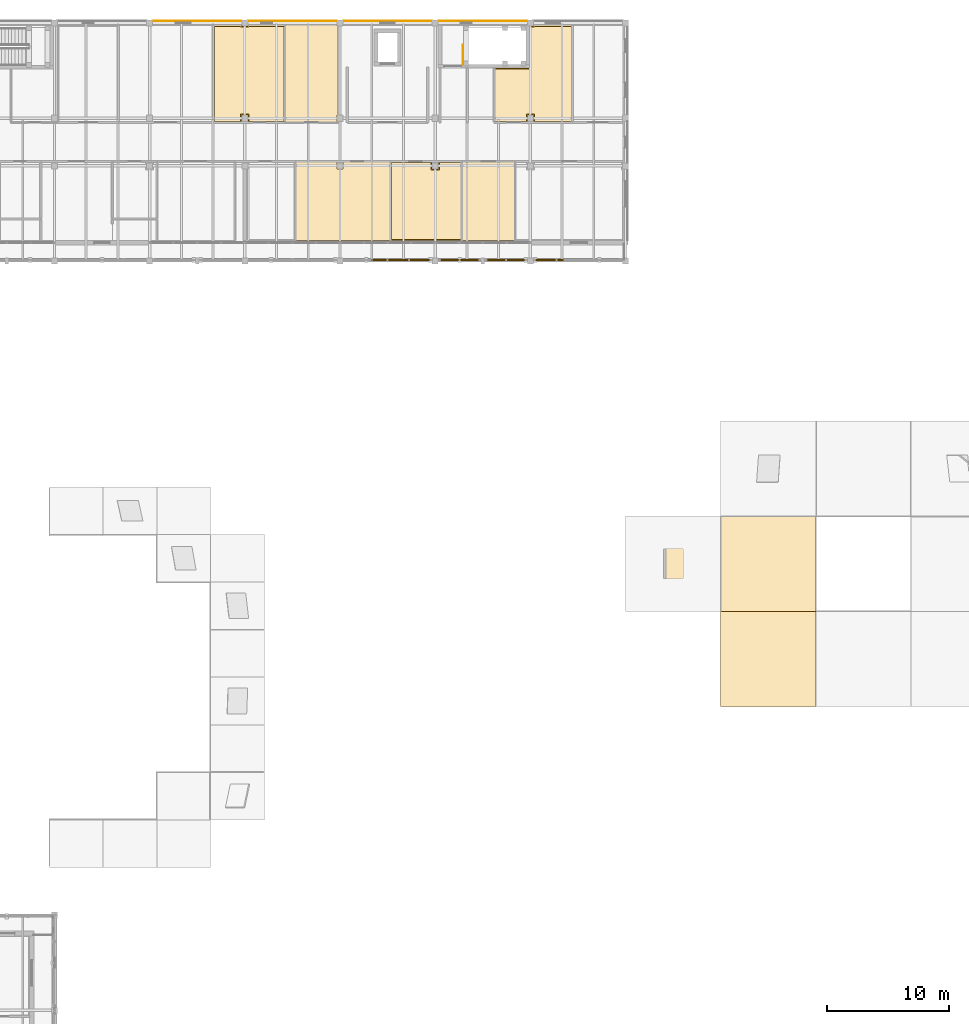
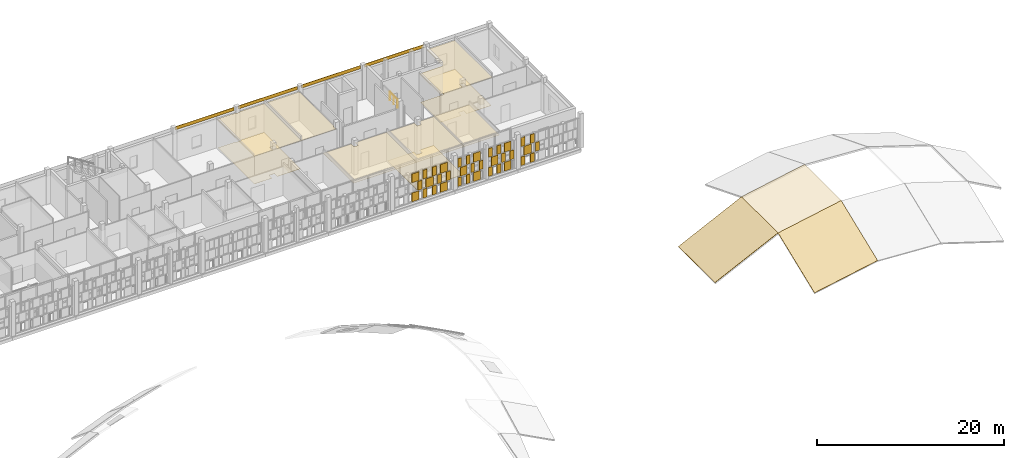
# One storey, part 88 of 89: 52 coverings, 1 railing.
"""IFC4 building model written with IfcOpenShell, lengths in metres."""

from ifc_helpers import new_model, si_unit, direction, frame, origin, origin_2d, place, context, subcontext, project, spatial, polyline, rectangle, circle, outline, extrude, material, layer, layer_set, type_object, element, save


model = new_model("IFC4")

# Units and contexts
model_context = context("Model", 3, precision=1e-05, world=origin(), true_north=direction((0.0, 1.0)))
body_context = subcontext(model_context, "Body", "Model", "MODEL_VIEW")
ifc_project = project(units=[si_unit("LENGTHUNIT", "METRE"), si_unit("AREAUNIT", "SQUARE_METRE"), si_unit("VOLUMEUNIT", "CUBIC_METRE"), si_unit("PLANEANGLEUNIT", "RADIAN"), si_unit("MASSUNIT", "GRAM", prefix="KILO")], contexts=[model_context])

# Site, building, storey
site_placement = place(None, origin())
site = spatial("IfcSite", under=ifc_project, at=site_placement, CompositionType="ELEMENT")
building_placement = place(site_placement, origin())
building = spatial("IfcBuilding", under=site, at=building_placement, Name="Celorna Specialist Clinic", CompositionType="ELEMENT")
storey_placement = place(building_placement, frame((0.0, 0.0, 14.10009765625)))
storey = spatial("IfcBuildingStorey", under=building, at=storey_placement, Name="L03", CompositionType="ELEMENT", Elevation=14.10009765625)

# Coverings
ifc_material_1 = material(Name="Hygienic acoustic mineral-fibre ceiling")
ifc_layer_1 = layer(ifc_material_1, 0.030029296875, Name="Hygienic acoustic mineral-fibre ceiling")
ifc_layer_set_1 = layer_set([ifc_layer_1], Name="Hygienic acoustic mineral-fibre ceiling")
covering_type_1 = type_object("IfcCoveringType", Name="CE-01", PredefinedType="CEILING", material=ifc_layer_set_1)
covering_1_placement = place(storey_placement, frame((0.0, 0.0, 3.68994140625)))
element("IfcCovering", 1, at=covering_1_placement, inside=storey, type_object=covering_type_1, Name="Acoustic ceiling L03-023", PredefinedType="CEILING", context=body_context, shape_type="SweptSolid", body=[
    extrude(outline(polyline([(108.955078125, 104.6650390625), (108.955078125, 104.554931640625), (108.945068359375, 104.554931640625), (108.945068359375, 104.044921875), (109.455078125, 104.044921875), (109.455078125, 104.554931640625), (109.445068359375, 104.554931640625), (109.445068359375, 104.6650390625), (113.35498046875, 104.6650390625), (113.35498046875, 98.175048828125), (105.52490234375, 98.175048828125), (105.52490234375, 104.6650390625), (108.955078125, 104.6650390625)])), origin(), (0.0, 0.0, 1.0), 0.030029296875),
])
covering_2_placement = place(storey_placement, frame((0.0, 0.0, 3.68994140625)))
element("IfcCovering", 2, at=covering_2_placement, inside=storey, type_object=covering_type_1, Name="Acoustic ceiling L03-024", PredefinedType="CEILING", context=body_context, shape_type="SweptSolid", body=[
    extrude(outline(polyline([(116.7548828125, 104.6650390625), (116.7548828125, 104.554931640625), (116.7451171875, 104.554931640625), (116.7451171875, 104.044921875), (117.2548828125, 104.044921875), (117.2548828125, 104.554931640625), (117.2451171875, 104.554931640625), (117.2451171875, 104.6650390625), (119.205078125, 104.6650390625), (119.205078125, 98.175048828125), (113.324951171875, 98.175048828125), (113.324951171875, 104.6650390625), (116.7548828125, 104.6650390625)])), origin(), (0.0, 0.0, 1.0), 0.030029296875),
])
covering_3_placement = place(storey_placement, frame((0.0, 0.0, 3.68994140625)))
element("IfcCovering", 3, at=covering_3_placement, inside=storey, type_object=covering_type_1, Name="Acoustic ceiling L03-025", PredefinedType="CEILING", context=body_context, shape_type="SweptSolid", body=[
    extrude(outline(polyline([(123.554931640625, 104.6650390625), (123.554931640625, 98.175048828125), (119.175048828125, 98.175048828125), (119.175048828125, 104.6650390625), (123.554931640625, 104.6650390625)])), origin(), (0.0, 0.0, 1.0), 0.030029296875),
])
covering_4_placement = place(storey_placement, frame((0.0, 0.0, 3.68994140625)))
element("IfcCovering", 4, at=covering_4_placement, inside=storey, type_object=covering_type_1, Name="Acoustic ceiling L03-034", PredefinedType="CEILING", context=body_context, shape_type="SweptSolid", body=[
    extrude(outline(polyline([(101.14501953125, 115.824951171875), (101.14501953125, 115.7451171875), (101.655029296875, 115.7451171875), (101.655029296875, 115.824951171875), (104.705078125, 115.824951171875), (104.705078125, 107.8349609375), (101.64501953125, 107.8349609375), (101.64501953125, 107.945068359375), (101.655029296875, 107.945068359375), (101.655029296875, 108.455078125), (101.14501953125, 108.455078125), (101.14501953125, 107.945068359375), (101.155029296875, 107.945068359375), (101.155029296875, 107.8349609375), (98.824951171875, 107.8349609375), (98.824951171875, 115.824951171875), (101.14501953125, 115.824951171875)])), origin(), (0.0, 0.0, 1.0), 0.030029296875),
])
covering_5_placement = place(storey_placement, frame((0.0, 0.0, 3.68994140625)))
element("IfcCovering", 5, at=covering_5_placement, inside=storey, type_object=covering_type_1, Name="Acoustic ceiling L03-035", PredefinedType="CEILING", context=body_context, shape_type="SweptSolid", body=[
    extrude(outline(polyline([(108.945068359375, 115.824951171875), (108.945068359375, 115.7451171875), (109.054931640625, 115.7451171875), (109.054931640625, 108.455078125), (108.945068359375, 108.455078125), (108.945068359375, 107.945068359375), (108.955078125, 107.945068359375), (108.955078125, 107.8349609375), (104.675048828125, 107.8349609375), (104.675048828125, 115.824951171875), (108.945068359375, 115.824951171875)])), origin(), (0.0, 0.0, 1.0), 0.030029296875),
])
covering_6_placement = place(storey_placement, frame((0.0, 0.0, 3.68994140625)))
element("IfcCovering", 6, at=covering_6_placement, inside=storey, type_object=covering_type_1, Name="Acoustic ceiling L03-036", PredefinedType="CEILING", context=body_context, shape_type="SweptSolid", body=[
    extrude(outline(polyline([(121.824951171875, 107.8349609375), (121.824951171875, 112.3349609375), (124.72509765625, 112.3349609375), (124.72509765625, 115.7451171875), (125.054931640625, 115.7451171875), (125.054931640625, 115.824951171875), (128.2548828125, 115.824951171875), (128.2548828125, 107.8349609375), (125.044921875, 107.8349609375), (125.044921875, 107.945068359375), (125.054931640625, 107.945068359375), (125.054931640625, 108.455078125), (124.544921875, 108.455078125), (124.544921875, 107.945068359375), (124.554931640625, 107.945068359375), (124.554931640625, 107.8349609375), (121.824951171875, 107.8349609375)])), origin(), (0.0, 0.0, 1.0), 0.030029296875),
])
ifc_material_2 = material(Name="Pero Pinheiro Lioz limestone rainscreen cladding", Category="masonry")
ifc_layer_2 = layer(ifc_material_2, 0.044921875, Name="Pero Pinheiro Lioz limestone rainscreen cladding")
ifc_layer_set_2 = layer_set([ifc_layer_2], Name="Pero Pinheiro Lioz limestone rainscreen cladding")
covering_type_2 = type_object("IfcCoveringType", Name="CL-01", PredefinedType="CLADDING", material=ifc_layer_set_2)
for number, where, z_axis, x_axis, name in (
    (7, (97.5, 116.16748046875, 3.83984375), (0.0, 0.0, 1.0), (1.0, 0.0, 0.0), "Lioz spandrel cladding #263"),
    (8, (105.300048828125, 116.16748046875, 3.83984375), (0.0, 0.0, 1.0), (1.0, 0.0, 0.0), "Lioz spandrel cladding #264"),
    (9, (113.10009765625, 116.16748046875, 3.83984375), (0.0, 0.0, 1.0), (1.0, 0.0, 0.0), "Lioz spandrel cladding #265"),
    (10, (120.89990234375, 116.16748046875, 3.83984375), (0.0, 0.0, 1.0), (1.0, 0.0, 0.0), "Lioz spandrel cladding #266"),
):
    element("IfcCovering", number, at=place(storey_placement, frame(where, z_axis=z_axis, x_axis=x_axis)), inside=storey, type_object=covering_type_2, Name=name, PredefinedType="CLADDING", context=body_context, shape_type="SweptSolid", body=[
        extrude(rectangle(XDim=7.300048828125, YDim=0.044921875, at=origin_2d()), origin(), (0.0, 0.0, 1.0), 0.419921875),
    ])
ifc_material_3 = material(Name="Perforated terracotta brick weave cladding", Category="masonry")
ifc_layer_3 = layer(ifc_material_3, 0.114990234375, Name="Perforated terracotta brick weave cladding")
ifc_layer_set_3 = layer_set([ifc_layer_3], Name="Perforated terracotta brick weave cladding")
covering_type_3 = type_object("IfcCoveringType", Name="CL-02", PredefinedType="CLADDING", material=ifc_layer_set_3)
covering_7_placement = place(storey_placement, frame((112.222412109375, 96.570068359375, 0.10009765625), z_axis=(0.0, 0.0, 1.0), x_axis=(1.0, 0.0, 0.0)))
element("IfcCovering", 11, at=covering_7_placement, inside=storey, type_object=covering_type_3, Name="Woven perforated terracotta brick course #1207", PredefinedType="CLADDING", context=body_context, shape_type="SweptSolid", body=[
    extrude(rectangle(XDim=0.8828125, YDim=0.114990234375, at=origin_2d()), origin(), (0.0, 0.0, 1.0), 1.146728515625),
])
covering_8_placement = place(storey_placement, frame((112.790771484375, 96.570068359375, 1.3466796875), z_axis=(0.0, 0.0, 1.0), x_axis=(1.0, 0.0, 0.0)))
element("IfcCovering", 12, at=covering_8_placement, inside=storey, type_object=covering_type_3, Name="Woven perforated terracotta brick course #1209", PredefinedType="CLADDING", context=body_context, shape_type="SweptSolid", body=[
    extrude(rectangle(XDim=0.498779296875, YDim=0.114990234375, at=origin_2d()), origin(), (0.0, 0.0, 1.0), 1.146484375),
])
covering_9_placement = place(storey_placement, frame((112.222412109375, 96.570068359375, 2.59326171875), z_axis=(0.0, 0.0, 1.0), x_axis=(1.0, 0.0, 0.0)))
element("IfcCovering", 13, at=covering_9_placement, inside=storey, type_object=covering_type_3, Name="Woven perforated terracotta brick course #1210", PredefinedType="CLADDING", context=body_context, shape_type="SweptSolid", body=[
    extrude(rectangle(XDim=0.8828125, YDim=0.114990234375, at=origin_2d()), origin(), (0.0, 0.0, 1.0), 1.146728515625),
])
for number, where, z_axis, x_axis, name in (
    (14, (113.409423828125, 96.570068359375, 0.10009765625), (0.0, 0.0, 1.0), (1.0, 0.0, 0.0), "Woven perforated terracotta brick course #1211"),
    (15, (114.545654296875, 96.570068359375, 0.10009765625), (0.0, 0.0, 1.0), (1.0, 0.0, 0.0), "Woven perforated terracotta brick course #1212"),
):
    element("IfcCovering", number, at=place(storey_placement, frame(where, z_axis=z_axis, x_axis=x_axis)), inside=storey, type_object=covering_type_3, Name=name, PredefinedType="CLADDING", context=body_context, shape_type="SweptSolid", body=[
        extrude(rectangle(XDim=0.498779296875, YDim=0.114990234375, at=origin_2d()), origin(), (0.0, 0.0, 1.0), 1.146728515625),
    ])
covering_10_placement = place(storey_placement, frame((113.9775390625, 96.570068359375, 1.3466796875), z_axis=(0.0, 0.0, 1.0), x_axis=(1.0, 0.0, 0.0)))
element("IfcCovering", 16, at=covering_10_placement, inside=storey, type_object=covering_type_3, Name="Woven perforated terracotta brick course #1213", PredefinedType="CLADDING", context=body_context, shape_type="SweptSolid", body=[
    extrude(rectangle(XDim=0.8828125, YDim=0.114990234375, at=origin_2d()), origin(), (0.0, 0.0, 1.0), 1.146484375),
])
for number, where, z_axis, x_axis, name in (
    (17, (113.409423828125, 96.570068359375, 2.59326171875), (0.0, 0.0, 1.0), (1.0, 0.0, 0.0), "Woven perforated terracotta brick course #1214"),
    (18, (114.545654296875, 96.570068359375, 2.59326171875), (0.0, 0.0, 1.0), (1.0, 0.0, 0.0), "Woven perforated terracotta brick course #1215"),
):
    element("IfcCovering", number, at=place(storey_placement, frame(where, z_axis=z_axis, x_axis=x_axis)), inside=storey, type_object=covering_type_3, Name=name, PredefinedType="CLADDING", context=body_context, shape_type="SweptSolid", body=[
        extrude(rectangle(XDim=0.498779296875, YDim=0.114990234375, at=origin_2d()), origin(), (0.0, 0.0, 1.0), 1.146728515625),
    ])
covering_11_placement = place(storey_placement, frame((115.732421875, 96.570068359375, 0.10009765625), z_axis=(0.0, 0.0, 1.0), x_axis=(1.0, 0.0, 0.0)))
element("IfcCovering", 19, at=covering_11_placement, inside=storey, type_object=covering_type_3, Name="Woven perforated terracotta brick course #1216", PredefinedType="CLADDING", context=body_context, shape_type="SweptSolid", body=[
    extrude(rectangle(XDim=0.8828125, YDim=0.114990234375, at=origin_2d()), origin(), (0.0, 0.0, 1.0), 1.146728515625),
])
for number, where, z_axis, x_axis, name in (
    (20, (115.164306640625, 96.570068359375, 1.3466796875), (0.0, 0.0, 1.0), (1.0, 0.0, 0.0), "Woven perforated terracotta brick course #1217"),
    (21, (116.30078125, 96.570068359375, 1.3466796875), (0.0, 0.0, 1.0), (1.0, 0.0, 0.0), "Woven perforated terracotta brick course #1218"),
):
    element("IfcCovering", number, at=place(storey_placement, frame(where, z_axis=z_axis, x_axis=x_axis)), inside=storey, type_object=covering_type_3, Name=name, PredefinedType="CLADDING", context=body_context, shape_type="SweptSolid", body=[
        extrude(rectangle(XDim=0.498779296875, YDim=0.114990234375, at=origin_2d()), origin(), (0.0, 0.0, 1.0), 1.146484375),
    ])
covering_12_placement = place(storey_placement, frame((115.732421875, 96.570068359375, 2.59326171875), z_axis=(0.0, 0.0, 1.0), x_axis=(1.0, 0.0, 0.0)))
element("IfcCovering", 22, at=covering_12_placement, inside=storey, type_object=covering_type_3, Name="Woven perforated terracotta brick course #1219", PredefinedType="CLADDING", context=body_context, shape_type="SweptSolid", body=[
    extrude(rectangle(XDim=0.8828125, YDim=0.114990234375, at=origin_2d()), origin(), (0.0, 0.0, 1.0), 1.146728515625),
])
for number, where, z_axis, x_axis, name in (
    (23, (117.67724609375, 96.570068359375, 0.10009765625), (0.0, 0.0, 1.0), (1.0, 0.0, 0.0), "Woven perforated terracotta brick course #1220"),
    (24, (118.712890625, 96.570068359375, 0.10009765625), (0.0, 0.0, 1.0), (1.0, 0.0, 0.0), "Woven perforated terracotta brick course #1221"),
):
    element("IfcCovering", number, at=place(storey_placement, frame(where, z_axis=z_axis, x_axis=x_axis)), inside=storey, type_object=covering_type_3, Name=name, PredefinedType="CLADDING", context=body_context, shape_type="SweptSolid", body=[
        extrude(rectangle(XDim=0.454345703125, YDim=0.114990234375, at=origin_2d()), origin(), (0.0, 0.0, 1.0), 1.146728515625),
    ])
covering_13_placement = place(storey_placement, frame((118.195068359375, 96.570068359375, 1.3466796875), z_axis=(0.0, 0.0, 1.0), x_axis=(1.0, 0.0, 0.0)))
element("IfcCovering", 25, at=covering_13_placement, inside=storey, type_object=covering_type_3, Name="Woven perforated terracotta brick course #1222", PredefinedType="CLADDING", context=body_context, shape_type="SweptSolid", body=[
    extrude(rectangle(XDim=0.8046875, YDim=0.114990234375, at=origin_2d()), origin(), (0.0, 0.0, 1.0), 1.146484375),
])
for number, where, z_axis, x_axis, name in (
    (26, (117.67724609375, 96.570068359375, 2.59326171875), (0.0, 0.0, 1.0), (1.0, 0.0, 0.0), "Woven perforated terracotta brick course #1223"),
    (27, (118.712890625, 96.570068359375, 2.59326171875), (0.0, 0.0, 1.0), (1.0, 0.0, 0.0), "Woven perforated terracotta brick course #1224"),
):
    element("IfcCovering", number, at=place(storey_placement, frame(where, z_axis=z_axis, x_axis=x_axis)), inside=storey, type_object=covering_type_3, Name=name, PredefinedType="CLADDING", context=body_context, shape_type="SweptSolid", body=[
        extrude(rectangle(XDim=0.454345703125, YDim=0.114990234375, at=origin_2d()), origin(), (0.0, 0.0, 1.0), 1.146728515625),
    ])
covering_14_placement = place(storey_placement, frame((119.804931640625, 96.570068359375, 0.10009765625), z_axis=(0.0, 0.0, 1.0), x_axis=(1.0, 0.0, 0.0)))
element("IfcCovering", 28, at=covering_14_placement, inside=storey, type_object=covering_type_3, Name="Woven perforated terracotta brick course #1225", PredefinedType="CLADDING", context=body_context, shape_type="SweptSolid", body=[
    extrude(rectangle(XDim=0.8046875, YDim=0.114990234375, at=origin_2d()), origin(), (0.0, 0.0, 1.0), 1.146728515625),
])
for number, where, z_axis, x_axis, name in (
    (29, (119.287109375, 96.570068359375, 1.3466796875), (0.0, 0.0, 1.0), (1.0, 0.0, 0.0), "Woven perforated terracotta brick course #1226"),
    (30, (120.32275390625, 96.570068359375, 1.3466796875), (0.0, 0.0, 1.0), (1.0, 0.0, 0.0), "Woven perforated terracotta brick course #1227"),
):
    element("IfcCovering", number, at=place(storey_placement, frame(where, z_axis=z_axis, x_axis=x_axis)), inside=storey, type_object=covering_type_3, Name=name, PredefinedType="CLADDING", context=body_context, shape_type="SweptSolid", body=[
        extrude(rectangle(XDim=0.454345703125, YDim=0.114990234375, at=origin_2d()), origin(), (0.0, 0.0, 1.0), 1.146484375),
    ])
covering_15_placement = place(storey_placement, frame((119.804931640625, 96.570068359375, 2.59326171875), z_axis=(0.0, 0.0, 1.0), x_axis=(1.0, 0.0, 0.0)))
element("IfcCovering", 31, at=covering_15_placement, inside=storey, type_object=covering_type_3, Name="Woven perforated terracotta brick course #1228", PredefinedType="CLADDING", context=body_context, shape_type="SweptSolid", body=[
    extrude(rectangle(XDim=0.8046875, YDim=0.114990234375, at=origin_2d()), origin(), (0.0, 0.0, 1.0), 1.146728515625),
])
for number, where, z_axis, x_axis, name in (
    (32, (121.477294921875, 96.570068359375, 0.10009765625), (0.0, 0.0, 1.0), (1.0, 0.0, 0.0), "Woven perforated terracotta brick course #1229"),
    (33, (122.5126953125, 96.570068359375, 0.10009765625), (0.0, 0.0, 1.0), (1.0, 0.0, 0.0), "Woven perforated terracotta brick course #1230"),
):
    element("IfcCovering", number, at=place(storey_placement, frame(where, z_axis=z_axis, x_axis=x_axis)), inside=storey, type_object=covering_type_3, Name=name, PredefinedType="CLADDING", context=body_context, shape_type="SweptSolid", body=[
        extrude(rectangle(XDim=0.454345703125, YDim=0.114990234375, at=origin_2d()), origin(), (0.0, 0.0, 1.0), 1.146728515625),
    ])
covering_16_placement = place(storey_placement, frame((121.9951171875, 96.570068359375, 1.3466796875), z_axis=(0.0, 0.0, 1.0), x_axis=(1.0, 0.0, 0.0)))
element("IfcCovering", 34, at=covering_16_placement, inside=storey, type_object=covering_type_3, Name="Woven perforated terracotta brick course #1231", PredefinedType="CLADDING", context=body_context, shape_type="SweptSolid", body=[
    extrude(rectangle(XDim=0.8046875, YDim=0.114990234375, at=origin_2d()), origin(), (0.0, 0.0, 1.0), 1.146484375),
])
for number, where, z_axis, x_axis, name in (
    (35, (121.477294921875, 96.570068359375, 2.59326171875), (0.0, 0.0, 1.0), (1.0, 0.0, 0.0), "Woven perforated terracotta brick course #1232"),
    (36, (122.5126953125, 96.570068359375, 2.59326171875), (0.0, 0.0, 1.0), (1.0, 0.0, 0.0), "Woven perforated terracotta brick course #1233"),
):
    element("IfcCovering", number, at=place(storey_placement, frame(where, z_axis=z_axis, x_axis=x_axis)), inside=storey, type_object=covering_type_3, Name=name, PredefinedType="CLADDING", context=body_context, shape_type="SweptSolid", body=[
        extrude(rectangle(XDim=0.454345703125, YDim=0.114990234375, at=origin_2d()), origin(), (0.0, 0.0, 1.0), 1.146728515625),
    ])
covering_17_placement = place(storey_placement, frame((123.60498046875, 96.570068359375, 0.10009765625), z_axis=(0.0, 0.0, 1.0), x_axis=(1.0, 0.0, 0.0)))
element("IfcCovering", 37, at=covering_17_placement, inside=storey, type_object=covering_type_3, Name="Woven perforated terracotta brick course #1234", PredefinedType="CLADDING", context=body_context, shape_type="SweptSolid", body=[
    extrude(rectangle(XDim=0.8046875, YDim=0.114990234375, at=origin_2d()), origin(), (0.0, 0.0, 1.0), 1.146728515625),
])
for number, where, z_axis, x_axis, name in (
    (38, (123.087158203125, 96.570068359375, 1.3466796875), (0.0, 0.0, 1.0), (1.0, 0.0, 0.0), "Woven perforated terracotta brick course #1235"),
    (39, (124.122802734375, 96.570068359375, 1.3466796875), (0.0, 0.0, 1.0), (1.0, 0.0, 0.0), "Woven perforated terracotta brick course #1236"),
):
    element("IfcCovering", number, at=place(storey_placement, frame(where, z_axis=z_axis, x_axis=x_axis)), inside=storey, type_object=covering_type_3, Name=name, PredefinedType="CLADDING", context=body_context, shape_type="SweptSolid", body=[
        extrude(rectangle(XDim=0.454345703125, YDim=0.114990234375, at=origin_2d()), origin(), (0.0, 0.0, 1.0), 1.146484375),
    ])
covering_18_placement = place(storey_placement, frame((123.60498046875, 96.570068359375, 2.59326171875), z_axis=(0.0, 0.0, 1.0), x_axis=(1.0, 0.0, 0.0)))
element("IfcCovering", 40, at=covering_18_placement, inside=storey, type_object=covering_type_3, Name="Woven perforated terracotta brick course #1237", PredefinedType="CLADDING", context=body_context, shape_type="SweptSolid", body=[
    extrude(rectangle(XDim=0.8046875, YDim=0.114990234375, at=origin_2d()), origin(), (0.0, 0.0, 1.0), 1.146728515625),
])
for number, where, z_axis, x_axis, name in (
    (41, (125.499267578125, 96.570068359375, 0.10009765625), (0.0, 0.0, 1.0), (1.0, 0.0, 0.0), "Woven perforated terracotta brick course #1238"),
    (42, (126.635498046875, 96.570068359375, 0.10009765625), (0.0, 0.0, 1.0), (1.0, 0.0, 0.0), "Woven perforated terracotta brick course #1239"),
):
    element("IfcCovering", number, at=place(storey_placement, frame(where, z_axis=z_axis, x_axis=x_axis)), inside=storey, type_object=covering_type_3, Name=name, PredefinedType="CLADDING", context=body_context, shape_type="SweptSolid", body=[
        extrude(rectangle(XDim=0.498779296875, YDim=0.114990234375, at=origin_2d()), origin(), (0.0, 0.0, 1.0), 1.146728515625),
    ])
covering_19_placement = place(storey_placement, frame((126.0673828125, 96.570068359375, 1.3466796875), z_axis=(0.0, 0.0, 1.0), x_axis=(1.0, 0.0, 0.0)))
element("IfcCovering", 43, at=covering_19_placement, inside=storey, type_object=covering_type_3, Name="Woven perforated terracotta brick course #1240", PredefinedType="CLADDING", context=body_context, shape_type="SweptSolid", body=[
    extrude(rectangle(XDim=0.8828125, YDim=0.114990234375, at=origin_2d()), origin(), (0.0, 0.0, 1.0), 1.146484375),
])
for number, where, z_axis, x_axis, name in (
    (44, (125.499267578125, 96.570068359375, 2.59326171875), (0.0, 0.0, 1.0), (1.0, 0.0, 0.0), "Woven perforated terracotta brick course #1241"),
    (45, (126.635498046875, 96.570068359375, 2.59326171875), (0.0, 0.0, 1.0), (1.0, 0.0, 0.0), "Woven perforated terracotta brick course #1242"),
):
    element("IfcCovering", number, at=place(storey_placement, frame(where, z_axis=z_axis, x_axis=x_axis)), inside=storey, type_object=covering_type_3, Name=name, PredefinedType="CLADDING", context=body_context, shape_type="SweptSolid", body=[
        extrude(rectangle(XDim=0.498779296875, YDim=0.114990234375, at=origin_2d()), origin(), (0.0, 0.0, 1.0), 1.146728515625),
    ])
covering_20_placement = place(storey_placement, frame((127.25439453125, 96.570068359375, 1.3466796875), z_axis=(0.0, 0.0, 1.0), x_axis=(1.0, 0.0, 0.0)))
element("IfcCovering", 46, at=covering_20_placement, inside=storey, type_object=covering_type_3, Name="Woven perforated terracotta brick course #1244", PredefinedType="CLADDING", context=body_context, shape_type="SweptSolid", body=[
    extrude(rectangle(XDim=0.498779296875, YDim=0.114990234375, at=origin_2d()), origin(), (0.0, 0.0, 1.0), 1.146484375),
])
ifc_material_4 = material(Name="Seamless antimicrobial clinical vinyl and Lioz terrazzo flooring")
ifc_layer_4 = layer(ifc_material_4, 0.02001953125, Name="Seamless antimicrobial clinical vinyl and Lioz terrazzo flooring")
ifc_layer_set_4 = layer_set([ifc_layer_4], Name="Seamless antimicrobial clinical vinyl and Lioz terrazzo flooring")
covering_type_4 = type_object("IfcCoveringType", Name="FL-01", PredefinedType="FLOORING", material=ifc_layer_set_4)
covering_21_placement = place(storey_placement, origin())
element("IfcCovering", 47, at=covering_21_placement, inside=storey, type_object=covering_type_4, Name="Antimicrobial clinical flooring L03-024", PredefinedType="FLOORING", context=body_context, shape_type="SweptSolid", body=[
    extrude(outline(polyline([(113.4150390625, 104.574951171875), (116.6650390625, 104.574951171875), (116.6650390625, 103.965087890625), (117.3349609375, 103.965087890625), (117.3349609375, 104.574951171875), (119.114990234375, 104.574951171875), (119.114990234375, 98.264892578125), (113.4150390625, 98.264892578125), (113.4150390625, 104.574951171875)])), origin(), (0.0, 0.0, 1.0), 0.02001953125),
])
covering_22_placement = place(storey_placement, origin())
element("IfcCovering", 48, at=covering_22_placement, inside=storey, type_object=covering_type_4, Name="Antimicrobial clinical flooring L03-034", PredefinedType="FLOORING", context=body_context, shape_type="SweptSolid", body=[
    extrude(outline(polyline([(98.9150390625, 115.735107421875), (101.06494140625, 115.735107421875), (101.06494140625, 115.6650390625), (101.735107421875, 115.6650390625), (101.735107421875, 115.735107421875), (104.614990234375, 115.735107421875), (104.614990234375, 107.925048828125), (101.735107421875, 107.925048828125), (101.735107421875, 108.534912109375), (101.06494140625, 108.534912109375), (101.06494140625, 107.925048828125), (98.9150390625, 107.925048828125), (98.9150390625, 115.735107421875)])), origin(), (0.0, 0.0, 1.0), 0.02001953125),
])
covering_23_placement = place(storey_placement, origin())
element("IfcCovering", 49, at=covering_23_placement, inside=storey, type_object=covering_type_4, Name="Antimicrobial clinical flooring L03-036", PredefinedType="FLOORING", context=body_context, shape_type="SweptSolid", body=[
    extrude(outline(polyline([(124.465087890625, 107.925048828125), (121.9150390625, 107.925048828125), (121.9150390625, 112.2451171875), (124.81494140625, 112.2451171875), (124.81494140625, 115.6650390625), (125.135009765625, 115.6650390625), (125.135009765625, 115.735107421875), (128.1650390625, 115.735107421875), (128.1650390625, 107.925048828125), (125.135009765625, 107.925048828125), (125.135009765625, 108.534912109375), (124.465087890625, 108.534912109375), (124.465087890625, 107.925048828125)])), origin(), (0.0, 0.0, 1.0), 0.02001953125),
])

# Railing
ifc_material_5 = material(Name="Powder-coated steel S355", Category="steel")
railing_type = type_object("IfcRailingType", Name="GR-01", PredefinedType="GUARDRAIL", material=ifc_material_5)
railing_placement = place(storey_placement, frame((119.2900390625, 112.6201171875, 0.0)))
element("IfcRailing", 50, at=railing_placement, inside=storey, type_object=railing_type, Name="L03 ST-03 top well guard 1", PredefinedType="GUARDRAIL", context=body_context, shape_type="SweptSolid", body=[
    extrude(circle(Radius=0.02392578125, at=origin_2d()), frame((0.0, 0.0, 1.09619140625), z_axis=(0.0, 1.0, 0.0), x_axis=(-1.0, 0.0, 0.0)), (0.0, 0.0, 1.0), 1.599853515625),
    extrude(circle(Radius=0.02099609375, at=origin_2d()), origin(), (0.0, 0.0, 1.0), 1.072021484375),
    extrude(circle(Radius=0.02099609375, at=origin_2d()), frame((0.0, 0.7998046875, 0.0)), (0.0, 0.0, 1.0), 1.072021484375),
    extrude(circle(Radius=0.02099609375, at=origin_2d()), frame((0.0, 1.599853515625, 0.0)), (0.0, 0.0, 1.0), 1.072021484375),
])

# Coverings
ifc_material_6 = material(Name="Standing-seam zinc and EPDM acoustic roofing membrane")
ifc_layer_5 = layer(ifc_material_6, 0.0400390625, Name="Standing-seam zinc and EPDM acoustic roofing membrane")
ifc_layer_set_5 = layer_set([ifc_layer_5], Name="Standing-seam zinc and EPDM acoustic roofing membrane")
covering_type_5 = type_object("IfcCoveringType", Name="RFG-01", PredefinedType="ROOFING", material=ifc_layer_set_5)
covering_24_placement = place(storey_placement, frame((132.60009765625, 67.800048828125, -0.324462890625), z_axis=(-0.435042239327, 0.0, 0.90041004548), x_axis=(0.90041004548, 0.0, 0.435042239327)))
element("IfcCovering", 51, at=covering_24_placement, inside=storey, type_object=covering_type_5, Name="GSH-V3 gridshell standing-seam roofing 1-2", PredefinedType="ROOFING", context=body_context, shape_type="SweptSolid", body=[
    extrude(outline(polyline([(0.0, 0.0), (8.662502963683488, 0.0), (8.662502963683488, 7.800048828125), (0.0, 7.800048828125), (0.0, 0.0)])), origin(), (0.0, 0.0, -1.0), 0.0400390625),
])
covering_25_placement = place(storey_placement, frame((140.39990234375, 60.0, 0.338623046875), z_axis=(-0.175894566536, -0.364141400215, 0.914583042764), x_axis=(0.982004194003, -5.118237e-06, 0.188859108689)))
element("IfcCovering", 52, at=covering_25_placement, inside=storey, type_object=covering_type_5, Name="GSH-V3 gridshell standing-seam roofing 2-1", PredefinedType="ROOFING", context=body_context, shape_type="SweptSolid", body=[
    extrude(outline(polyline([(0.0, 0.0), (7.942969325678524, 1.1102230246251565e-16), (8.529471571550385, 8.375095783526985), (0.5864561376910289, 8.375008481456065), (0.0, 0.0)])), origin(), (0.0, 0.0, -1.0), 0.0400390625),
])
covering_26_placement = place(storey_placement, frame((140.39990234375, 67.800048828125, 3.444091796875), z_axis=(-0.188875893907, 0.0, 0.982000965733), x_axis=(0.982000965733, 0.0, 0.188875893907)))
element("IfcCovering", 53, at=covering_26_placement, inside=storey, type_object=covering_type_5, Name="GSH-V3 gridshell standing-seam roofing 2-2", PredefinedType="ROOFING", context=body_context, shape_type="SweptSolid", body=[
    extrude(outline(polyline([(0.0, 0.0), (7.943015435123731, 0.0), (7.943015435123731, 7.800048828125), (0.0, 7.800048828125), (0.0, 0.0)])), origin(), (0.0, 0.0, -1.0), 0.0400390625),
])

save(model, "model.ifc")
